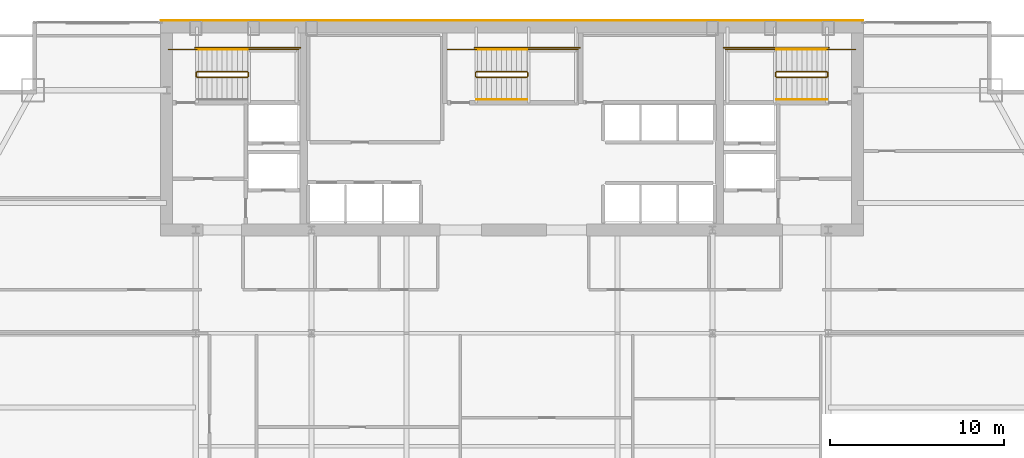
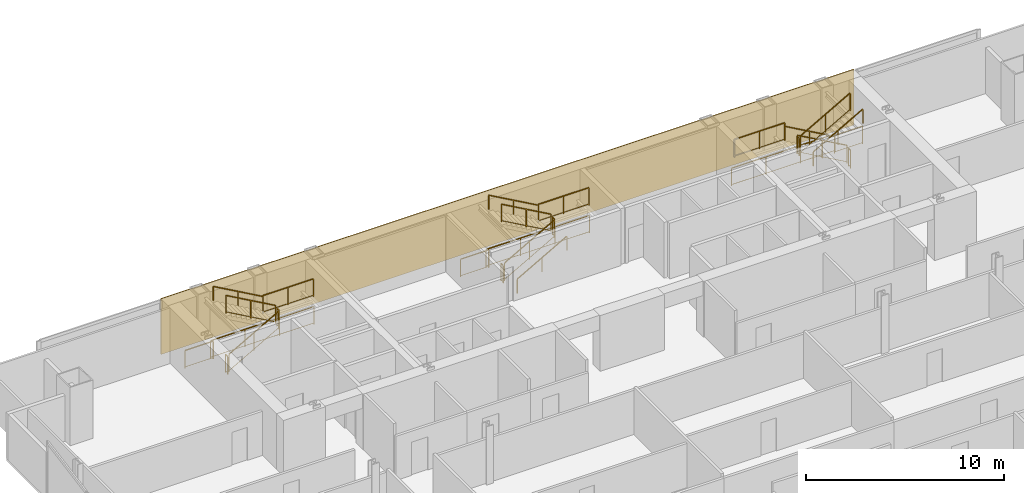
# One storey, part 29 of 29: 26 railings, 1 covering.
"""IFC4 building model written with IfcOpenShell, lengths in metres."""

import ifcopenshell
import ifcopenshell.guid

model = None  # the IFC model being written
_history = None  # IfcOwnerHistory: only IFC2X3 demands one
_inside = {}  # id of a spatial element -> (the spatial element, [elements in it])
_under = {}  # id of a project, library or spatial element -> (it, [spatial elements below it])
_declared = {}  # id of a project -> (the project, [libraries it declares])
_typed = {}  # id of a type object -> (the type object, [elements of that type])
_made_of = {}  # id of a material, layer set ... -> (it, [elements and type objects made of it])


def new_model(schema):
    """Start an empty IFC model of exactly this schema.

    Asked for "IFC4X3", IfcOpenShell would pick the latest addendum, in which some entities
    have other attributes; the version numbers below select the first issue.
    IFC2X3 requires an IfcOwnerHistory on every rooted entity: one is made here for all.
    """
    global model, _history
    if schema == "IFC4X3":
        model = ifcopenshell.file(schema_version=(4, 3, 0, 0))
    else:
        model = ifcopenshell.file(schema=schema)
    _inside.clear()
    _under.clear()
    _declared.clear()
    _typed.clear()
    _made_of.clear()
    _history = None
    if model.schema == "IFC2X3":
        org = make("IfcOrganization", Name="unknown")
        user = make(
            "IfcPersonAndOrganization",
            ThePerson=make("IfcPerson", FamilyName="unknown"),
            TheOrganization=org,
        )
        app = make(
            "IfcApplication",
            ApplicationDeveloper=org,
            Version="unknown",
            ApplicationFullName="unknown",
            ApplicationIdentifier="unknown",
        )
        _history = make(
            "IfcOwnerHistory",
            OwningUser=user,
            OwningApplication=app,
            ChangeAction="ADDED",
            CreationDate=0,
        )
    return model


def make(cls, **values):
    """One entity of the class cls with the attributes given. An attribute that is None is left unset."""
    return model.create_entity(
        cls, **{name: value for name, value in values.items() if value is not None}
    )


def rooted(cls, **values):
    """An entity with a GlobalId (a new one), such as an element, a storey or a relation."""
    return make(cls, GlobalId=ifcopenshell.guid.new(), OwnerHistory=_history, **values)


def si_unit(unit_type, name, prefix=None):
    """IfcSIUnit, for example si_unit("LENGTHUNIT", "METRE", prefix="MILLI")."""
    return make("IfcSIUnit", UnitType=unit_type, Prefix=prefix, Name=name)


def assignment(units):
    """IfcUnitAssignment: the units of a project."""
    return None if units is None else make("IfcUnitAssignment", Units=units)


def point(xyz):
    """IfcCartesianPoint."""
    return None if xyz is None else make("IfcCartesianPoint", Coordinates=xyz)


def direction(xyz):
    """IfcDirection."""
    return None if xyz is None else make("IfcDirection", DirectionRatios=xyz)


def frame(location, z_axis=None, x_axis=None):
    """IfcAxis2Placement3D, a coordinate frame: its origin and axes. An axis left out is left unset."""
    return make(
        "IfcAxis2Placement3D",
        Location=point(location),
        Axis=direction(z_axis),
        RefDirection=direction(x_axis),
    )


def frame_2d(location, x_axis=None):
    """IfcAxis2Placement2D, a coordinate frame in the plane: its origin and x axis."""
    return make(
        "IfcAxis2Placement2D", Location=point(location), RefDirection=direction(x_axis)
    )


def origin():
    """The frame at (0, 0, 0) with its axes left unset."""
    return frame((0.0, 0.0, 0.0))


def origin_2d():
    """The frame at (0, 0) in the plane with its x axis left unset."""
    return frame_2d((0.0, 0.0))


def place(relative_to, where):
    """IfcLocalPlacement: puts the frame where relative to a parent placement (None: the world)."""
    return make(
        "IfcLocalPlacement", PlacementRelTo=relative_to, RelativePlacement=where
    )


def context(
    kind, dimensions, precision=None, world=None, true_north=None, identifier=None
):
    """IfcGeometricRepresentationContext, for example the 3D "Model" context."""
    return make(
        "IfcGeometricRepresentationContext",
        ContextIdentifier=identifier,
        ContextType=kind,
        CoordinateSpaceDimension=dimensions,
        Precision=precision,
        WorldCoordinateSystem=world,
        TrueNorth=true_north,
    )


def subcontext(parent, identifier, kind, view, scale=None):
    """IfcGeometricRepresentationSubContext, for example "Body" below "Model"."""
    return make(
        "IfcGeometricRepresentationSubContext",
        ContextIdentifier=identifier,
        ContextType=kind,
        ParentContext=parent,
        TargetScale=scale,
        TargetView=view,
    )


def project(units=None, contexts=None):
    """IfcProject with its units and contexts."""
    return rooted(
        "IfcProject",
        Name="project",
        RepresentationContexts=contexts,
        UnitsInContext=assignment(units),
    )


def spatial(cls, under=None, at=None, **own):
    """A site, building, storey or space (cls), placed at a placement, below another one or the project."""
    s = rooted(cls, ObjectPlacement=at, **own)
    if under is not None:
        _under.setdefault(under.id(), (under, []))[1].append(s)
    return s


def polyline(points):
    """IfcPolyline through the points."""
    return make("IfcPolyline", Points=[point(p) for p in points])


def profile(cls, at=None, kind="AREA", **sizes):
    """A parametric profile (cls). Its sizes go by their IFC names, for example OverallWidth=200.0."""
    return make(cls, ProfileType=kind, Position=at, **sizes)


def rectangle(**sizes):
    """IfcRectangleProfileDef."""
    return profile("IfcRectangleProfileDef", **sizes)


def outline(outer, holes=None, kind="AREA"):
    """IfcArbitraryClosedProfileDef: a profile drawn as a closed curve; with holes, ...WithVoids."""
    if holes is None:
        return make("IfcArbitraryClosedProfileDef", ProfileType=kind, OuterCurve=outer)
    return make(
        "IfcArbitraryProfileDefWithVoids",
        ProfileType=kind,
        OuterCurve=outer,
        InnerCurves=holes,
    )


def extrude(swept, where, along, depth):
    """IfcExtrudedAreaSolid: the profile swept, set in the frame where, extruded along a direction by depth."""
    return make(
        "IfcExtrudedAreaSolid",
        SweptArea=swept,
        Position=where,
        ExtrudedDirection=direction(along),
        Depth=depth,
    )


def shape(context_of_items, identifier, shape_type, items):
    """IfcShapeRepresentation: the items that make up one representation, for example the "Body"."""
    return make(
        "IfcShapeRepresentation",
        ContextOfItems=context_of_items,
        RepresentationIdentifier=identifier,
        RepresentationType=shape_type,
        Items=items,
    )


def material(Name=None, Category=None):
    """IfcMaterial."""
    return make("IfcMaterial", Name=Name, Category=Category)


def layer(
    of_material, thickness, ventilated=None, Name=None, Category=None, Priority=None
):
    """IfcMaterialLayer: one layer of a wall or slab, of a material (None: an air gap)."""
    return make(
        "IfcMaterialLayer",
        Material=of_material,
        LayerThickness=thickness,
        IsVentilated=ventilated,
        Name=Name,
        Category=Category,
        Priority=Priority,
    )


def layer_set(layers, Name=None):
    """IfcMaterialLayerSet."""
    return make("IfcMaterialLayerSet", MaterialLayers=layers, LayerSetName=Name)


def made_of(thing, what):
    """Note that an element or type object is made of a material, layer set ...; save() writes the relation."""
    if what is not None:
        _made_of.setdefault(what.id(), (what, []))[1].append(thing)
    return thing


def type_object(cls, material=None, **own):
    """A type object (cls), such as IfcWallType, which elements share."""
    return made_of(rooted(cls, **own), material)


def element(
    cls,
    number,
    at=None,
    inside=None,
    cuts=None,
    type_object=None,
    material=None,
    context=None,
    identifier="Body",
    shape_type=None,
    held_by="IfcProductDefinitionShape",
    body=None,
    shapes=None,
    **own,
):
    """One element of the class cls, such as IfcWall. Its Tag is "e" and its number.

    at: its placement. inside: the storey or other place that contains it. cuts: it is an
    opening in that element (IfcRelVoidsElement). A single representation is given by context,
    identifier, shape_type and body (its items); several are given by shapes. held_by: the class
    of the entity that holds the representations. save() writes the other relations.
    """
    e = rooted(cls, Tag="e%d" % number, ObjectPlacement=at, **own)
    if body is not None:
        shapes = [shape(context, identifier, shape_type, body)]
    if shapes is not None:
        e.Representation = make(held_by, Representations=shapes)
    if inside is not None:
        _inside.setdefault(inside.id(), (inside, []))[1].append(e)
    if cuts is not None:
        rooted(
            "IfcRelVoidsElement", RelatingBuildingElement=cuts, RelatedOpeningElement=e
        )
    if type_object is not None:
        _typed.setdefault(type_object.id(), (type_object, []))[1].append(e)
    return made_of(e, material)


def aggregate(whole, parts):
    """IfcRelAggregates: a whole, such as a stair, and the parts it consists of."""
    return rooted("IfcRelAggregates", RelatingObject=whole, RelatedObjects=parts)


def save(model, path):
    """Write the relations noted so far, then the file.

    IfcRelAggregates (storeys below a building ...), IfcRelContainedInSpatialStructure (elements
    in a storey), IfcRelDefinesByType, IfcRelAssociatesMaterial and IfcRelDeclares: one each for
    every whole, place, type object, material and project.
    """
    for whole, parts in _under.values():
        aggregate(whole, parts)
    for where, things in _inside.values():
        rooted(
            "IfcRelContainedInSpatialStructure",
            RelatedElements=things,
            RelatingStructure=where,
        )
    for kind, things in _typed.values():
        rooted("IfcRelDefinesByType", RelatedObjects=things, RelatingType=kind)
    for what, things in _made_of.values():
        rooted("IfcRelAssociatesMaterial", RelatedObjects=things, RelatingMaterial=what)
    for by, libraries in _declared.values():
        rooted("IfcRelDeclares", RelatingContext=by, RelatedDefinitions=libraries)
    model.write(path)


model = new_model("IFC4")

# Units and contexts
model_context = context("Model", 3, precision=1e-05, world=origin(), true_north=direction((0.0, 1.0)))
body_context = subcontext(model_context, "Body", "Model", "MODEL_VIEW")
ifc_project = project(units=[si_unit("LENGTHUNIT", "METRE"), si_unit("AREAUNIT", "SQUARE_METRE"), si_unit("VOLUMEUNIT", "CUBIC_METRE"), si_unit("PLANEANGLEUNIT", "RADIAN"), si_unit("MASSUNIT", "GRAM", prefix="KILO")], contexts=[model_context])

# Site, building, storey
site_placement = place(None, origin())
site = spatial("IfcSite", under=ifc_project, at=site_placement, CompositionType="ELEMENT")
building_placement = place(site_placement, origin())
building = spatial("IfcBuilding", under=site, at=building_placement, Name="Khoronbel Lancet Exchange", CompositionType="ELEMENT")
storey_placement = place(building_placement, frame((0.0, 0.0, 139.800048828125)))
storey = spatial("IfcBuildingStorey", under=building, at=storey_placement, Name="L34", CompositionType="ELEMENT", Elevation=139.800048828125)

# Covering
ifc_material_1 = material(Name="Honed Egyptian Limestone & Bronze Rainscreen", Category="masonry")
ifc_layer = layer(ifc_material_1, 0.050048828125, Name="Honed Egyptian Limestone & Bronze Rainscreen")
ifc_layer_set = layer_set([ifc_layer], Name="Honed Egyptian Limestone & Bronze Rainscreen")
covering_type = type_object("IfcCoveringType", Name="COV-CLAD1", PredefinedType="CLADDING", material=ifc_layer_set)
covering_placement = place(storey_placement, origin())
element("IfcCovering", 1, at=covering_placement, inside=storey, type_object=covering_type, Name="Level L34 north rear-core stone and bronze rainscreen cladding", PredefinedType="CLADDING", context=body_context, shape_type="SweptSolid", body=[
    extrude(outline(polyline([(16.199951171875, 53.699951171875), (56.699951171875, 53.699951171875), (56.699951171875, 53.75), (16.199951171875, 53.75), (16.199951171875, 53.699951171875)])), origin(), (0.0, 0.0, 1.0), 3.43994140625),
])

# Railings
ifc_material_2 = material(Name="Painted Steel Balustrade", Category="steel")
railing_type_1 = type_object("IfcRailingType", Name="RL-STG110", PredefinedType="GUARDRAIL", material=ifc_material_2)
railing_1_placement = place(storey_placement, frame((18.300048828125, 50.449951171875, 0.16357421875)))
element("IfcRailing", 2, at=railing_1_placement, inside=storey, type_object=railing_type_1, Name="L34 ST1 stair guard 1", PredefinedType="GUARDRAIL", context=body_context, shape_type="SweptSolid", body=[
    extrude(rectangle(XDim=0.048095703125, YDim=0.048095703125, at=origin_2d()), frame((0.0, 0.0, 1.09619140625), z_axis=(0.870897200241, 0.0, 0.491465224214), x_axis=(0.0, 1.0, 0.0)), (0.0, 0.0, 1.0), 3.329833984375),
    extrude(rectangle(XDim=0.02392578125, YDim=0.02392578125, at=origin_2d()), frame((0.0, 0.0, 0.080078125), z_axis=(0.870897200241, 0.0, 0.491465224214), x_axis=(0.0, 1.0, 0.0)), (0.0, 0.0, 1.0), 3.329833984375),
    extrude(rectangle(XDim=0.0419921875, YDim=0.0419921875, at=origin_2d()), origin(), (0.0, 0.0, 1.0), 1.072021484375),
    extrude(rectangle(XDim=0.0419921875, YDim=0.0419921875, at=origin_2d()), frame((1.449951171875, 0.0, 0.818359375)), (0.0, 0.0, 1.0), 1.072021484375),
    extrude(rectangle(XDim=0.0419921875, YDim=0.0419921875, at=origin_2d()), frame((2.89990234375, 0.0, 1.636474609375)), (0.0, 0.0, 1.0), 1.072021484375),
])
railing_2_placement = place(storey_placement, frame((21.25, 50.5, 1.800048828125)))
element("IfcRailing", 3, at=railing_2_placement, inside=storey, type_object=railing_type_1, Name="L34 ST1 stair guard 2", PredefinedType="GUARDRAIL", context=body_context, shape_type="SweptSolid", body=[
    extrude(rectangle(XDim=0.048095703125, YDim=0.048095703125, at=origin_2d()), frame((0.0, 0.0, 1.09619140625), z_axis=(0.0, 1.0, 0.0), x_axis=(-1.0, 0.0, 0.0)), (0.0, 0.0, 1.0), 0.219970703125),
    extrude(rectangle(XDim=0.02392578125, YDim=0.02392578125, at=origin_2d()), frame((0.0, 0.0, 0.080078125), z_axis=(0.0, 1.0, 0.0), x_axis=(-1.0, 0.0, 0.0)), (0.0, 0.0, 1.0), 0.219970703125),
    extrude(rectangle(XDim=0.0419921875, YDim=0.0419921875, at=origin_2d()), origin(), (0.0, 0.0, 1.0), 1.072021484375),
    extrude(rectangle(XDim=0.0419921875, YDim=0.0419921875, at=origin_2d()), frame((0.0, 0.219970703125, 0.0)), (0.0, 0.0, 1.0), 1.072021484375),
])
railing_3_placement = place(storey_placement, frame((21.199951171875, 52.050048828125, 1.800048828125)))
element("IfcRailing", 4, at=railing_3_placement, inside=storey, type_object=railing_type_1, Name="L34 ST1 stair guard 3", PredefinedType="GUARDRAIL", context=body_context, shape_type="SweptSolid", body=[
    extrude(rectangle(XDim=0.048095703125, YDim=0.048095703125, at=origin_2d()), frame((0.0, 0.0, 1.09619140625), z_axis=(1.0, 0.0, 0.0), x_axis=(0.0, 1.0, 0.0)), (0.0, 0.0, 1.0), 2.949951171875),
    extrude(rectangle(XDim=0.02392578125, YDim=0.02392578125, at=origin_2d()), frame((0.0, 0.0, 0.080078125), z_axis=(1.0, 0.0, 0.0), x_axis=(0.0, 1.0, 0.0)), (0.0, 0.0, 1.0), 2.949951171875),
    extrude(rectangle(XDim=0.0419921875, YDim=0.0419921875, at=origin_2d()), origin(), (0.0, 0.0, 1.0), 1.072021484375),
    extrude(rectangle(XDim=0.0419921875, YDim=0.0419921875, at=origin_2d()), frame((1.47509765625, 0.0, 0.0)), (0.0, 0.0, 1.0), 1.072021484375),
    extrude(rectangle(XDim=0.0419921875, YDim=0.0419921875, at=origin_2d()), frame((2.949951171875, 0.0, 0.0)), (0.0, 0.0, 1.0), 1.072021484375),
])
railing_4_placement = place(storey_placement, frame((21.199951171875, 50.77001953125, 1.963623046875)))
element("IfcRailing", 5, at=railing_4_placement, inside=storey, type_object=railing_type_1, Name="L34 ST1 stair guard 4", PredefinedType="GUARDRAIL", context=body_context, shape_type="SweptSolid", body=[
    extrude(rectangle(XDim=0.048095703125, YDim=0.048095703125, at=origin_2d()), frame((0.0, 0.0, 1.09619140625), z_axis=(-0.870928581787, 0.0, 0.491409610636), x_axis=(0.0, -1.0, 0.0)), (0.0, 0.0, 1.0), 3.32958984375),
    extrude(rectangle(XDim=0.02392578125, YDim=0.02392578125, at=origin_2d()), frame((0.0, 0.0, 0.080078125), z_axis=(-0.870928581787, 0.0, 0.491409610636), x_axis=(0.0, -1.0, 0.0)), (0.0, 0.0, 1.0), 3.32958984375),
    extrude(rectangle(XDim=0.0419921875, YDim=0.0419921875, at=origin_2d()), origin(), (0.0, 0.0, 1.0), 1.072021484375),
    extrude(rectangle(XDim=0.0419921875, YDim=0.0419921875, at=origin_2d()), frame((-1.449951171875, 0.0, 0.818115234375)), (0.0, 0.0, 1.0), 1.072021484375),
    extrude(rectangle(XDim=0.0419921875, YDim=0.0419921875, at=origin_2d()), frame((-2.89990234375, 0.0, 1.63623046875)), (0.0, 0.0, 1.0), 1.072021484375),
])
railing_5_placement = place(storey_placement, frame((18.25, 50.5, 0.0)))
element("IfcRailing", 6, at=railing_5_placement, inside=storey, type_object=railing_type_1, Name="L34 ST1 stair guard 5", PredefinedType="GUARDRAIL", context=body_context, shape_type="SweptSolid", body=[
    extrude(rectangle(XDim=0.048095703125, YDim=0.048095703125, at=origin_2d()), frame((0.0, 0.0, 1.09619140625), z_axis=(0.0, 1.0, 0.0), x_axis=(-1.0, 0.0, 0.0)), (0.0, 0.0, 1.0), 0.219970703125),
    extrude(rectangle(XDim=0.02392578125, YDim=0.02392578125, at=origin_2d()), frame((0.0, 0.0, 0.080078125), z_axis=(0.0, 1.0, 0.0), x_axis=(-1.0, 0.0, 0.0)), (0.0, 0.0, 1.0), 0.219970703125),
    extrude(rectangle(XDim=0.0419921875, YDim=0.0419921875, at=origin_2d()), origin(), (0.0, 0.0, 1.0), 1.072021484375),
    extrude(rectangle(XDim=0.0419921875, YDim=0.0419921875, at=origin_2d()), frame((0.0, 0.219970703125, 0.0)), (0.0, 0.0, 1.0), 1.072021484375),
])
railing_6_placement = place(storey_placement, frame((16.64990234375, 52.050048828125, 0.0)))
element("IfcRailing", 7, at=railing_6_placement, inside=storey, type_object=railing_type_1, Name="L34 ST1 stair guard 6", PredefinedType="GUARDRAIL", context=body_context, shape_type="SweptSolid", body=[
    extrude(rectangle(XDim=0.048095703125, YDim=0.048095703125, at=origin_2d()), frame((0.0, 0.0, 1.09619140625), z_axis=(1.0, 0.0, 0.0), x_axis=(0.0, 1.0, 0.0)), (0.0, 0.0, 1.0), 1.650146484375),
    extrude(rectangle(XDim=0.02392578125, YDim=0.02392578125, at=origin_2d()), frame((0.0, 0.0, 0.080078125), z_axis=(1.0, 0.0, 0.0), x_axis=(0.0, 1.0, 0.0)), (0.0, 0.0, 1.0), 1.650146484375),
    extrude(rectangle(XDim=0.0419921875, YDim=0.0419921875, at=origin_2d()), origin(), (0.0, 0.0, 1.0), 1.072021484375),
    extrude(rectangle(XDim=0.0419921875, YDim=0.0419921875, at=origin_2d()), frame((1.650146484375, 0.0, 0.0)), (0.0, 0.0, 1.0), 1.072021484375),
])
railing_7_placement = place(storey_placement, frame((18.199951171875, 52.14990234375, 0.0)))
element("IfcRailing", 8, at=railing_7_placement, inside=storey, type_object=railing_type_1, Name="L34 ST1 stair guard 7", PredefinedType="GUARDRAIL", context=body_context, shape_type="SweptSolid", body=[
    extrude(rectangle(XDim=0.048095703125, YDim=0.048095703125, at=origin_2d()), frame((0.0, 0.0, 1.09619140625), z_axis=(1.0, 0.0, 0.0), x_axis=(0.0, 1.0, 0.0)), (0.0, 0.0, 1.0), 6.050048828125),
    extrude(rectangle(XDim=0.02392578125, YDim=0.02392578125, at=origin_2d()), frame((0.0, 0.0, 0.080078125), z_axis=(1.0, 0.0, 0.0), x_axis=(0.0, 1.0, 0.0)), (0.0, 0.0, 1.0), 6.050048828125),
    extrude(rectangle(XDim=0.0419921875, YDim=0.0419921875, at=origin_2d()), origin(), (0.0, 0.0, 1.0), 1.072021484375),
    extrude(rectangle(XDim=0.0419921875, YDim=0.0419921875, at=origin_2d()), frame((2.0166015625, 0.0, 0.0)), (0.0, 0.0, 1.0), 1.072021484375),
    extrude(rectangle(XDim=0.0419921875, YDim=0.0419921875, at=origin_2d()), frame((4.033447265625, 0.0, 0.0)), (0.0, 0.0, 1.0), 1.072021484375),
    extrude(rectangle(XDim=0.0419921875, YDim=0.0419921875, at=origin_2d()), frame((6.050048828125, 0.0, 0.0)), (0.0, 0.0, 1.0), 1.072021484375),
])
railing_8_placement = place(storey_placement, frame((54.60009765625, 50.77001953125, 0.16357421875)))
element("IfcRailing", 9, at=railing_8_placement, inside=storey, type_object=railing_type_1, Name="L34 ST2 stair guard 1", PredefinedType="GUARDRAIL", context=body_context, shape_type="SweptSolid", body=[
    extrude(rectangle(XDim=0.048095703125, YDim=0.048095703125, at=origin_2d()), frame((0.0, 0.0, 1.09619140625), z_axis=(-0.870914908162, 0.0, 0.491433843708), x_axis=(0.0, -1.0, 0.0)), (0.0, 0.0, 1.0), 3.330078125),
    extrude(rectangle(XDim=0.02392578125, YDim=0.02392578125, at=origin_2d()), frame((0.0, 0.0, 0.080078125), z_axis=(-0.870914908162, 0.0, 0.491433843708), x_axis=(0.0, -1.0, 0.0)), (0.0, 0.0, 1.0), 3.330078125),
    extrude(rectangle(XDim=0.0419921875, YDim=0.0419921875, at=origin_2d()), origin(), (0.0, 0.0, 1.0), 1.072021484375),
    extrude(rectangle(XDim=0.0419921875, YDim=0.0419921875, at=origin_2d()), frame((-1.4501953125, 0.0, 0.818359375)), (0.0, 0.0, 1.0), 1.072021484375),
    extrude(rectangle(XDim=0.0419921875, YDim=0.0419921875, at=origin_2d()), frame((-2.900146484375, 0.0, 1.636474609375)), (0.0, 0.0, 1.0), 1.072021484375),
])
railing_9_placement = place(storey_placement, frame((51.64990234375, 50.719970703125, 1.800048828125)))
element("IfcRailing", 10, at=railing_9_placement, inside=storey, type_object=railing_type_1, Name="L34 ST2 stair guard 2", PredefinedType="GUARDRAIL", context=body_context, shape_type="SweptSolid", body=[
    extrude(rectangle(XDim=0.048095703125, YDim=0.048095703125, at=origin_2d()), frame((0.0, 0.0, 1.09619140625), z_axis=(0.0, -1.0, 0.0), x_axis=(1.0, 0.0, 0.0)), (0.0, 0.0, 1.0), 0.219970703125),
    extrude(rectangle(XDim=0.02392578125, YDim=0.02392578125, at=origin_2d()), frame((0.0, 0.0, 0.080078125), z_axis=(0.0, -1.0, 0.0), x_axis=(1.0, 0.0, 0.0)), (0.0, 0.0, 1.0), 0.219970703125),
    extrude(rectangle(XDim=0.0419921875, YDim=0.0419921875, at=origin_2d()), origin(), (0.0, 0.0, 1.0), 1.072021484375),
    extrude(rectangle(XDim=0.0419921875, YDim=0.0419921875, at=origin_2d()), frame((0.0, -0.219970703125, 0.0)), (0.0, 0.0, 1.0), 1.072021484375),
])
railing_10_placement = place(storey_placement, frame((51.699951171875, 52.050048828125, 1.800048828125)))
element("IfcRailing", 11, at=railing_10_placement, inside=storey, type_object=railing_type_1, Name="L34 ST2 stair guard 3", PredefinedType="GUARDRAIL", context=body_context, shape_type="SweptSolid", body=[
    extrude(rectangle(XDim=0.048095703125, YDim=0.048095703125, at=origin_2d()), frame((0.0, 0.0, 1.09619140625), z_axis=(-1.0, 0.0, 0.0), x_axis=(0.0, -1.0, 0.0)), (0.0, 0.0, 1.0), 2.949951171875),
    extrude(rectangle(XDim=0.02392578125, YDim=0.02392578125, at=origin_2d()), frame((0.0, 0.0, 0.080078125), z_axis=(-1.0, 0.0, 0.0), x_axis=(0.0, -1.0, 0.0)), (0.0, 0.0, 1.0), 2.949951171875),
    extrude(rectangle(XDim=0.0419921875, YDim=0.0419921875, at=origin_2d()), origin(), (0.0, 0.0, 1.0), 1.072021484375),
    extrude(rectangle(XDim=0.0419921875, YDim=0.0419921875, at=origin_2d()), frame((-1.47509765625, 0.0, 0.0)), (0.0, 0.0, 1.0), 1.072021484375),
    extrude(rectangle(XDim=0.0419921875, YDim=0.0419921875, at=origin_2d()), frame((-2.949951171875, 0.0, 0.0)), (0.0, 0.0, 1.0), 1.072021484375),
])
railing_11_placement = place(storey_placement, frame((51.699951171875, 50.449951171875, 1.963623046875)))
element("IfcRailing", 12, at=railing_11_placement, inside=storey, type_object=railing_type_1, Name="L34 ST2 stair guard 4", PredefinedType="GUARDRAIL", context=body_context, shape_type="SweptSolid", body=[
    extrude(rectangle(XDim=0.048095703125, YDim=0.048095703125, at=origin_2d()), frame((0.0, 0.0, 1.09619140625), z_axis=(0.870946286338, 0.0, 0.49137823142), x_axis=(0.0, 1.0, 0.0)), (0.0, 0.0, 1.0), 3.329833984375),
    extrude(rectangle(XDim=0.02392578125, YDim=0.02392578125, at=origin_2d()), frame((0.0, 0.0, 0.080078125), z_axis=(0.870946286338, 0.0, 0.49137823142), x_axis=(0.0, 1.0, 0.0)), (0.0, 0.0, 1.0), 3.329833984375),
    extrude(rectangle(XDim=0.0419921875, YDim=0.0419921875, at=origin_2d()), origin(), (0.0, 0.0, 1.0), 1.072021484375),
    extrude(rectangle(XDim=0.0419921875, YDim=0.0419921875, at=origin_2d()), frame((1.4501953125, 0.0, 0.818115234375)), (0.0, 0.0, 1.0), 1.072021484375),
    extrude(rectangle(XDim=0.0419921875, YDim=0.0419921875, at=origin_2d()), frame((2.900146484375, 0.0, 1.63623046875)), (0.0, 0.0, 1.0), 1.072021484375),
])
railing_12_placement = place(storey_placement, frame((54.64990234375, 50.719970703125, 0.0)))
element("IfcRailing", 13, at=railing_12_placement, inside=storey, type_object=railing_type_1, Name="L34 ST2 stair guard 5", PredefinedType="GUARDRAIL", context=body_context, shape_type="SweptSolid", body=[
    extrude(rectangle(XDim=0.048095703125, YDim=0.048095703125, at=origin_2d()), frame((0.0, 0.0, 1.09619140625), z_axis=(0.0, -1.0, 0.0), x_axis=(1.0, 0.0, 0.0)), (0.0, 0.0, 1.0), 0.219970703125),
    extrude(rectangle(XDim=0.02392578125, YDim=0.02392578125, at=origin_2d()), frame((0.0, 0.0, 0.080078125), z_axis=(0.0, -1.0, 0.0), x_axis=(1.0, 0.0, 0.0)), (0.0, 0.0, 1.0), 0.219970703125),
    extrude(rectangle(XDim=0.0419921875, YDim=0.0419921875, at=origin_2d()), origin(), (0.0, 0.0, 1.0), 1.072021484375),
    extrude(rectangle(XDim=0.0419921875, YDim=0.0419921875, at=origin_2d()), frame((0.0, -0.219970703125, 0.0)), (0.0, 0.0, 1.0), 1.072021484375),
])
railing_13_placement = place(storey_placement, frame((56.25, 52.050048828125, 0.0)))
element("IfcRailing", 14, at=railing_13_placement, inside=storey, type_object=railing_type_1, Name="L34 ST2 stair guard 6", PredefinedType="GUARDRAIL", context=body_context, shape_type="SweptSolid", body=[
    extrude(rectangle(XDim=0.048095703125, YDim=0.048095703125, at=origin_2d()), frame((0.0, 0.0, 1.09619140625), z_axis=(-1.0, 0.0, 0.0), x_axis=(0.0, -1.0, 0.0)), (0.0, 0.0, 1.0), 1.64990234375),
    extrude(rectangle(XDim=0.02392578125, YDim=0.02392578125, at=origin_2d()), frame((0.0, 0.0, 0.080078125), z_axis=(-1.0, 0.0, 0.0), x_axis=(0.0, -1.0, 0.0)), (0.0, 0.0, 1.0), 1.64990234375),
    extrude(rectangle(XDim=0.0419921875, YDim=0.0419921875, at=origin_2d()), origin(), (0.0, 0.0, 1.0), 1.072021484375),
    extrude(rectangle(XDim=0.0419921875, YDim=0.0419921875, at=origin_2d()), frame((-1.64990234375, 0.0, 0.0)), (0.0, 0.0, 1.0), 1.072021484375),
])
railing_14_placement = place(storey_placement, frame((54.699951171875, 52.14990234375, 0.0)))
element("IfcRailing", 15, at=railing_14_placement, inside=storey, type_object=railing_type_1, Name="L34 ST2 stair guard 7", PredefinedType="GUARDRAIL", context=body_context, shape_type="SweptSolid", body=[
    extrude(rectangle(XDim=0.048095703125, YDim=0.048095703125, at=origin_2d()), frame((0.0, 0.0, 1.09619140625), z_axis=(-1.0, 0.0, 0.0), x_axis=(0.0, -1.0, 0.0)), (0.0, 0.0, 1.0), 6.050048828125),
    extrude(rectangle(XDim=0.02392578125, YDim=0.02392578125, at=origin_2d()), frame((0.0, 0.0, 0.080078125), z_axis=(-1.0, 0.0, 0.0), x_axis=(0.0, -1.0, 0.0)), (0.0, 0.0, 1.0), 6.050048828125),
    extrude(rectangle(XDim=0.0419921875, YDim=0.0419921875, at=origin_2d()), origin(), (0.0, 0.0, 1.0), 1.072021484375),
    extrude(rectangle(XDim=0.0419921875, YDim=0.0419921875, at=origin_2d()), frame((-2.0166015625, 0.0, 0.0)), (0.0, 0.0, 1.0), 1.072021484375),
    extrude(rectangle(XDim=0.0419921875, YDim=0.0419921875, at=origin_2d()), frame((-4.033447265625, 0.0, 0.0)), (0.0, 0.0, 1.0), 1.072021484375),
    extrude(rectangle(XDim=0.0419921875, YDim=0.0419921875, at=origin_2d()), frame((-6.050048828125, 0.0, 0.0)), (0.0, 0.0, 1.0), 1.072021484375),
])
railing_15_placement = place(storey_placement, frame((34.39990234375, 50.449951171875, 0.16357421875)))
element("IfcRailing", 16, at=railing_15_placement, inside=storey, type_object=railing_type_1, Name="L34 ST3 stair guard 1", PredefinedType="GUARDRAIL", context=body_context, shape_type="SweptSolid", body=[
    extrude(rectangle(XDim=0.048095703125, YDim=0.048095703125, at=origin_2d()), frame((0.0, 0.0, 1.09619140625), z_axis=(0.870914908162, 0.0, 0.491433843708), x_axis=(0.0, 1.0, 0.0)), (0.0, 0.0, 1.0), 3.330078125),
    extrude(rectangle(XDim=0.02392578125, YDim=0.02392578125, at=origin_2d()), frame((0.0, 0.0, 0.080078125), z_axis=(0.870914908162, 0.0, 0.491433843708), x_axis=(0.0, 1.0, 0.0)), (0.0, 0.0, 1.0), 3.330078125),
    extrude(rectangle(XDim=0.0419921875, YDim=0.0419921875, at=origin_2d()), origin(), (0.0, 0.0, 1.0), 1.072021484375),
    extrude(rectangle(XDim=0.0419921875, YDim=0.0419921875, at=origin_2d()), frame((1.4501953125, 0.0, 0.818359375)), (0.0, 0.0, 1.0), 1.072021484375),
    extrude(rectangle(XDim=0.0419921875, YDim=0.0419921875, at=origin_2d()), frame((2.900146484375, 0.0, 1.636474609375)), (0.0, 0.0, 1.0), 1.072021484375),
])
railing_16_placement = place(storey_placement, frame((37.35009765625, 50.5, 1.800048828125)))
element("IfcRailing", 17, at=railing_16_placement, inside=storey, type_object=railing_type_1, Name="L34 ST3 stair guard 2", PredefinedType="GUARDRAIL", context=body_context, shape_type="SweptSolid", body=[
    extrude(rectangle(XDim=0.048095703125, YDim=0.048095703125, at=origin_2d()), frame((0.0, 0.0, 1.09619140625), z_axis=(0.0, 1.0, 0.0), x_axis=(-1.0, 0.0, 0.0)), (0.0, 0.0, 1.0), 0.219970703125),
    extrude(rectangle(XDim=0.02392578125, YDim=0.02392578125, at=origin_2d()), frame((0.0, 0.0, 0.080078125), z_axis=(0.0, 1.0, 0.0), x_axis=(-1.0, 0.0, 0.0)), (0.0, 0.0, 1.0), 0.219970703125),
    extrude(rectangle(XDim=0.0419921875, YDim=0.0419921875, at=origin_2d()), origin(), (0.0, 0.0, 1.0), 1.072021484375),
    extrude(rectangle(XDim=0.0419921875, YDim=0.0419921875, at=origin_2d()), frame((0.0, 0.219970703125, 0.0)), (0.0, 0.0, 1.0), 1.072021484375),
])
railing_17_placement = place(storey_placement, frame((37.300048828125, 52.050048828125, 1.800048828125)))
element("IfcRailing", 18, at=railing_17_placement, inside=storey, type_object=railing_type_1, Name="L34 ST3 stair guard 3", PredefinedType="GUARDRAIL", context=body_context, shape_type="SweptSolid", body=[
    extrude(rectangle(XDim=0.048095703125, YDim=0.048095703125, at=origin_2d()), frame((0.0, 0.0, 1.09619140625), z_axis=(1.0, 0.0, 0.0), x_axis=(0.0, 1.0, 0.0)), (0.0, 0.0, 1.0), 2.949951171875),
    extrude(rectangle(XDim=0.02392578125, YDim=0.02392578125, at=origin_2d()), frame((0.0, 0.0, 0.080078125), z_axis=(1.0, 0.0, 0.0), x_axis=(0.0, 1.0, 0.0)), (0.0, 0.0, 1.0), 2.949951171875),
    extrude(rectangle(XDim=0.0419921875, YDim=0.0419921875, at=origin_2d()), origin(), (0.0, 0.0, 1.0), 1.072021484375),
    extrude(rectangle(XDim=0.0419921875, YDim=0.0419921875, at=origin_2d()), frame((1.47509765625, 0.0, 0.0)), (0.0, 0.0, 1.0), 1.072021484375),
    extrude(rectangle(XDim=0.0419921875, YDim=0.0419921875, at=origin_2d()), frame((2.949951171875, 0.0, 0.0)), (0.0, 0.0, 1.0), 1.072021484375),
])
railing_18_placement = place(storey_placement, frame((37.300048828125, 50.77001953125, 1.963623046875)))
element("IfcRailing", 19, at=railing_18_placement, inside=storey, type_object=railing_type_1, Name="L34 ST3 stair guard 4", PredefinedType="GUARDRAIL", context=body_context, shape_type="SweptSolid", body=[
    extrude(rectangle(XDim=0.048095703125, YDim=0.048095703125, at=origin_2d()), frame((0.0, 0.0, 1.09619140625), z_axis=(-0.870946286338, 0.0, 0.49137823142), x_axis=(0.0, -1.0, 0.0)), (0.0, 0.0, 1.0), 3.329833984375),
    extrude(rectangle(XDim=0.02392578125, YDim=0.02392578125, at=origin_2d()), frame((0.0, 0.0, 0.080078125), z_axis=(-0.870946286338, 0.0, 0.49137823142), x_axis=(0.0, -1.0, 0.0)), (0.0, 0.0, 1.0), 3.329833984375),
    extrude(rectangle(XDim=0.0419921875, YDim=0.0419921875, at=origin_2d()), origin(), (0.0, 0.0, 1.0), 1.072021484375),
    extrude(rectangle(XDim=0.0419921875, YDim=0.0419921875, at=origin_2d()), frame((-1.4501953125, 0.0, 0.818115234375)), (0.0, 0.0, 1.0), 1.072021484375),
    extrude(rectangle(XDim=0.0419921875, YDim=0.0419921875, at=origin_2d()), frame((-2.900146484375, 0.0, 1.63623046875)), (0.0, 0.0, 1.0), 1.072021484375),
])
railing_19_placement = place(storey_placement, frame((34.35009765625, 50.5, 0.0)))
element("IfcRailing", 20, at=railing_19_placement, inside=storey, type_object=railing_type_1, Name="L34 ST3 stair guard 5", PredefinedType="GUARDRAIL", context=body_context, shape_type="SweptSolid", body=[
    extrude(rectangle(XDim=0.048095703125, YDim=0.048095703125, at=origin_2d()), frame((0.0, 0.0, 1.09619140625), z_axis=(0.0, 1.0, 0.0), x_axis=(-1.0, 0.0, 0.0)), (0.0, 0.0, 1.0), 0.219970703125),
    extrude(rectangle(XDim=0.02392578125, YDim=0.02392578125, at=origin_2d()), frame((0.0, 0.0, 0.080078125), z_axis=(0.0, 1.0, 0.0), x_axis=(-1.0, 0.0, 0.0)), (0.0, 0.0, 1.0), 0.219970703125),
    extrude(rectangle(XDim=0.0419921875, YDim=0.0419921875, at=origin_2d()), origin(), (0.0, 0.0, 1.0), 1.072021484375),
    extrude(rectangle(XDim=0.0419921875, YDim=0.0419921875, at=origin_2d()), frame((0.0, 0.219970703125, 0.0)), (0.0, 0.0, 1.0), 1.072021484375),
])
railing_20_placement = place(storey_placement, frame((32.75, 52.050048828125, 0.0)))
element("IfcRailing", 21, at=railing_20_placement, inside=storey, type_object=railing_type_1, Name="L34 ST3 stair guard 6", PredefinedType="GUARDRAIL", context=body_context, shape_type="SweptSolid", body=[
    extrude(rectangle(XDim=0.048095703125, YDim=0.048095703125, at=origin_2d()), frame((0.0, 0.0, 1.09619140625), z_axis=(1.0, 0.0, 0.0), x_axis=(0.0, 1.0, 0.0)), (0.0, 0.0, 1.0), 1.64990234375),
    extrude(rectangle(XDim=0.02392578125, YDim=0.02392578125, at=origin_2d()), frame((0.0, 0.0, 0.080078125), z_axis=(1.0, 0.0, 0.0), x_axis=(0.0, 1.0, 0.0)), (0.0, 0.0, 1.0), 1.64990234375),
    extrude(rectangle(XDim=0.0419921875, YDim=0.0419921875, at=origin_2d()), origin(), (0.0, 0.0, 1.0), 1.072021484375),
    extrude(rectangle(XDim=0.0419921875, YDim=0.0419921875, at=origin_2d()), frame((1.64990234375, 0.0, 0.0)), (0.0, 0.0, 1.0), 1.072021484375),
])
railing_21_placement = place(storey_placement, frame((34.300048828125, 52.14990234375, 0.0)))
element("IfcRailing", 22, at=railing_21_placement, inside=storey, type_object=railing_type_1, Name="L34 ST3 stair guard 7", PredefinedType="GUARDRAIL", context=body_context, shape_type="SweptSolid", body=[
    extrude(rectangle(XDim=0.048095703125, YDim=0.048095703125, at=origin_2d()), frame((0.0, 0.0, 1.09619140625), z_axis=(1.0, 0.0, 0.0), x_axis=(0.0, 1.0, 0.0)), (0.0, 0.0, 1.0), 6.050048828125),
    extrude(rectangle(XDim=0.02392578125, YDim=0.02392578125, at=origin_2d()), frame((0.0, 0.0, 0.080078125), z_axis=(1.0, 0.0, 0.0), x_axis=(0.0, 1.0, 0.0)), (0.0, 0.0, 1.0), 6.050048828125),
    extrude(rectangle(XDim=0.0419921875, YDim=0.0419921875, at=origin_2d()), origin(), (0.0, 0.0, 1.0), 1.072021484375),
    extrude(rectangle(XDim=0.0419921875, YDim=0.0419921875, at=origin_2d()), frame((2.0166015625, 0.0, 0.0)), (0.0, 0.0, 1.0), 1.072021484375),
    extrude(rectangle(XDim=0.0419921875, YDim=0.0419921875, at=origin_2d()), frame((4.033447265625, 0.0, 0.0)), (0.0, 0.0, 1.0), 1.072021484375),
    extrude(rectangle(XDim=0.0419921875, YDim=0.0419921875, at=origin_2d()), frame((6.050048828125, 0.0, 0.0)), (0.0, 0.0, 1.0), 1.072021484375),
])
ifc_material_3 = material(Name="Brushed Stainless Steel 316", Category="steel")
railing_type_2 = type_object("IfcRailingType", Name="RL-STH92", PredefinedType="HANDRAIL", material=ifc_material_3)
railing_22_placement = place(storey_placement, frame((21.199951171875, 52.050048828125, 1.963623046875)))
element("IfcRailing", 23, at=railing_22_placement, inside=storey, type_object=railing_type_2, Name="L34 ST1 stair handrail 2", PredefinedType="HANDRAIL", context=body_context, shape_type="SweptSolid", body=[
    extrude(rectangle(XDim=0.048095703125, YDim=0.048095703125, at=origin_2d()), frame((0.0, 0.0, 0.8759765625), z_axis=(-0.870928581787, 0.0, 0.491409610636), x_axis=(0.0, -1.0, 0.0)), (0.0, 0.0, 1.0), 3.32958984375),
    extrude(rectangle(XDim=0.0419921875, YDim=0.0419921875, at=origin_2d()), origin(), (0.0, 0.0, 1.0), 0.851806640625),
    extrude(rectangle(XDim=0.0419921875, YDim=0.0419921875, at=origin_2d()), frame((-1.449951171875, 0.0, 0.818115234375)), (0.0, 0.0, 1.0), 0.851806640625),
    extrude(rectangle(XDim=0.0419921875, YDim=0.0419921875, at=origin_2d()), frame((-2.89990234375, 0.0, 1.63623046875)), (0.0, 0.0, 1.0), 0.851806640625),
])
railing_23_placement = place(storey_placement, frame((54.60009765625, 52.050048828125, 0.16357421875)))
element("IfcRailing", 24, at=railing_23_placement, inside=storey, type_object=railing_type_2, Name="L34 ST2 stair handrail 1", PredefinedType="HANDRAIL", context=body_context, shape_type="SweptSolid", body=[
    extrude(rectangle(XDim=0.048095703125, YDim=0.048095703125, at=origin_2d()), frame((0.0, 0.0, 0.8759765625), z_axis=(-0.870914908162, 0.0, 0.491433843708), x_axis=(0.0, -1.0, 0.0)), (0.0, 0.0, 1.0), 3.330078125),
    extrude(rectangle(XDim=0.0419921875, YDim=0.0419921875, at=origin_2d()), origin(), (0.0, 0.0, 1.0), 0.851806640625),
    extrude(rectangle(XDim=0.0419921875, YDim=0.0419921875, at=origin_2d()), frame((-1.4501953125, 0.0, 0.818359375)), (0.0, 0.0, 1.0), 0.851806640625),
    extrude(rectangle(XDim=0.0419921875, YDim=0.0419921875, at=origin_2d()), frame((-2.900146484375, 0.0, 1.636474609375)), (0.0, 0.0, 1.0), 0.851806640625),
])
railing_24_placement = place(storey_placement, frame((51.699951171875, 49.169921875, 1.963623046875)))
element("IfcRailing", 25, at=railing_24_placement, inside=storey, type_object=railing_type_2, Name="L34 ST2 stair handrail 2", PredefinedType="HANDRAIL", context=body_context, shape_type="SweptSolid", body=[
    extrude(rectangle(XDim=0.048095703125, YDim=0.048095703125, at=origin_2d()), frame((0.0, 0.0, 0.8759765625), z_axis=(0.870946286338, 0.0, 0.49137823142), x_axis=(0.0, 1.0, 0.0)), (0.0, 0.0, 1.0), 3.329833984375),
    extrude(rectangle(XDim=0.0419921875, YDim=0.0419921875, at=origin_2d()), origin(), (0.0, 0.0, 1.0), 0.851806640625),
    extrude(rectangle(XDim=0.0419921875, YDim=0.0419921875, at=origin_2d()), frame((1.4501953125, 0.0, 0.818115234375)), (0.0, 0.0, 1.0), 0.851806640625),
    extrude(rectangle(XDim=0.0419921875, YDim=0.0419921875, at=origin_2d()), frame((2.900146484375, 0.0, 1.63623046875)), (0.0, 0.0, 1.0), 0.851806640625),
])
railing_25_placement = place(storey_placement, frame((34.39990234375, 49.169921875, 0.16357421875)))
element("IfcRailing", 26, at=railing_25_placement, inside=storey, type_object=railing_type_2, Name="L34 ST3 stair handrail 1", PredefinedType="HANDRAIL", context=body_context, shape_type="SweptSolid", body=[
    extrude(rectangle(XDim=0.048095703125, YDim=0.048095703125, at=origin_2d()), frame((0.0, 0.0, 0.8759765625), z_axis=(0.870914908162, 0.0, 0.491433843708), x_axis=(0.0, 1.0, 0.0)), (0.0, 0.0, 1.0), 3.330078125),
    extrude(rectangle(XDim=0.0419921875, YDim=0.0419921875, at=origin_2d()), origin(), (0.0, 0.0, 1.0), 0.851806640625),
    extrude(rectangle(XDim=0.0419921875, YDim=0.0419921875, at=origin_2d()), frame((1.4501953125, 0.0, 0.818359375)), (0.0, 0.0, 1.0), 0.851806640625),
    extrude(rectangle(XDim=0.0419921875, YDim=0.0419921875, at=origin_2d()), frame((2.900146484375, 0.0, 1.636474609375)), (0.0, 0.0, 1.0), 0.851806640625),
])
railing_26_placement = place(storey_placement, frame((37.300048828125, 52.050048828125, 1.963623046875)))
element("IfcRailing", 27, at=railing_26_placement, inside=storey, type_object=railing_type_2, Name="L34 ST3 stair handrail 2", PredefinedType="HANDRAIL", context=body_context, shape_type="SweptSolid", body=[
    extrude(rectangle(XDim=0.048095703125, YDim=0.048095703125, at=origin_2d()), frame((0.0, 0.0, 0.8759765625), z_axis=(-0.870946286338, 0.0, 0.49137823142), x_axis=(0.0, -1.0, 0.0)), (0.0, 0.0, 1.0), 3.329833984375),
    extrude(rectangle(XDim=0.0419921875, YDim=0.0419921875, at=origin_2d()), origin(), (0.0, 0.0, 1.0), 0.851806640625),
    extrude(rectangle(XDim=0.0419921875, YDim=0.0419921875, at=origin_2d()), frame((-1.4501953125, 0.0, 0.818115234375)), (0.0, 0.0, 1.0), 0.851806640625),
    extrude(rectangle(XDim=0.0419921875, YDim=0.0419921875, at=origin_2d()), frame((-2.900146484375, 0.0, 1.63623046875)), (0.0, 0.0, 1.0), 0.851806640625),
])

save(model, "model.ifc")
